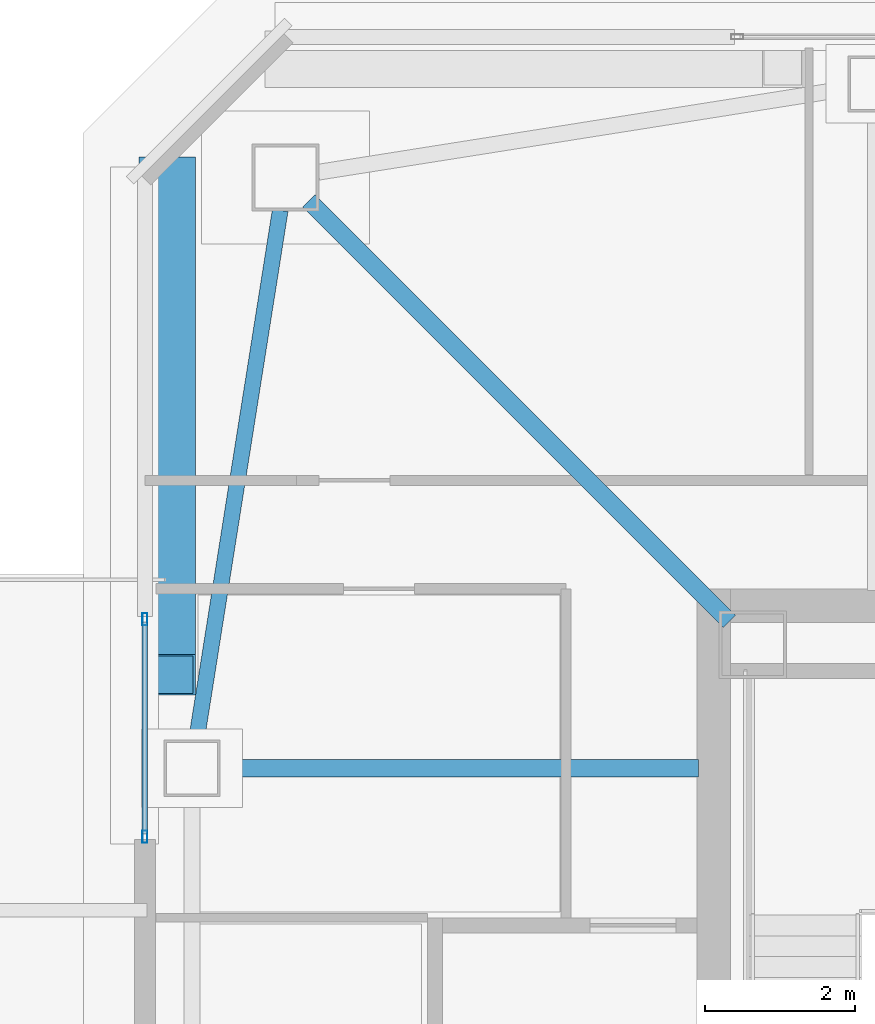
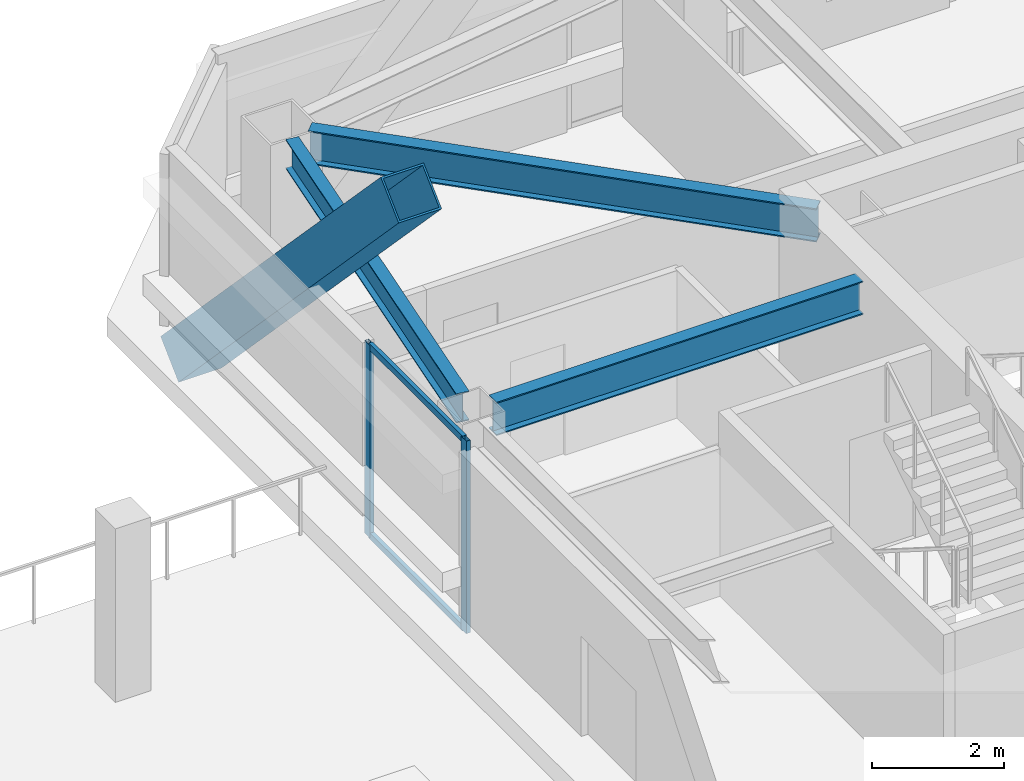
# One storey, part 6 of 37: 5 members, 3 beams, 1 element without a shape of its own.
"""IFC4 building model written with IfcOpenShell, lengths in metres."""

import ifcopenshell
import ifcopenshell.guid

model = None  # the IFC model being written
_history = None  # IfcOwnerHistory: only IFC2X3 demands one
_inside = {}  # id of a spatial element -> (the spatial element, [elements in it])
_under = {}  # id of a project, library or spatial element -> (it, [spatial elements below it])
_declared = {}  # id of a project -> (the project, [libraries it declares])
_typed = {}  # id of a type object -> (the type object, [elements of that type])
_made_of = {}  # id of a material, layer set ... -> (it, [elements and type objects made of it])


def new_model(schema):
    """Start an empty IFC model of exactly this schema.

    Asked for "IFC4X3", IfcOpenShell would pick the latest addendum, in which some entities
    have other attributes; the version numbers below select the first issue.
    IFC2X3 requires an IfcOwnerHistory on every rooted entity: one is made here for all.
    """
    global model, _history
    if schema == "IFC4X3":
        model = ifcopenshell.file(schema_version=(4, 3, 0, 0))
    else:
        model = ifcopenshell.file(schema=schema)
    _inside.clear()
    _under.clear()
    _declared.clear()
    _typed.clear()
    _made_of.clear()
    _history = None
    if model.schema == "IFC2X3":
        org = make("IfcOrganization", Name="unknown")
        user = make(
            "IfcPersonAndOrganization",
            ThePerson=make("IfcPerson", FamilyName="unknown"),
            TheOrganization=org,
        )
        app = make(
            "IfcApplication",
            ApplicationDeveloper=org,
            Version="unknown",
            ApplicationFullName="unknown",
            ApplicationIdentifier="unknown",
        )
        _history = make(
            "IfcOwnerHistory",
            OwningUser=user,
            OwningApplication=app,
            ChangeAction="ADDED",
            CreationDate=0,
        )
    return model


def make(cls, **values):
    """One entity of the class cls with the attributes given. An attribute that is None is left unset."""
    return model.create_entity(
        cls, **{name: value for name, value in values.items() if value is not None}
    )


def rooted(cls, **values):
    """An entity with a GlobalId (a new one), such as an element, a storey or a relation."""
    return make(cls, GlobalId=ifcopenshell.guid.new(), OwnerHistory=_history, **values)


def si_unit(unit_type, name, prefix=None):
    """IfcSIUnit, for example si_unit("LENGTHUNIT", "METRE", prefix="MILLI")."""
    return make("IfcSIUnit", UnitType=unit_type, Prefix=prefix, Name=name)


def assignment(units):
    """IfcUnitAssignment: the units of a project."""
    return None if units is None else make("IfcUnitAssignment", Units=units)


def point(xyz):
    """IfcCartesianPoint."""
    return None if xyz is None else make("IfcCartesianPoint", Coordinates=xyz)


def direction(xyz):
    """IfcDirection."""
    return None if xyz is None else make("IfcDirection", DirectionRatios=xyz)


def frame(location, z_axis=None, x_axis=None):
    """IfcAxis2Placement3D, a coordinate frame: its origin and axes. An axis left out is left unset."""
    return make(
        "IfcAxis2Placement3D",
        Location=point(location),
        Axis=direction(z_axis),
        RefDirection=direction(x_axis),
    )


def frame_2d(location, x_axis=None):
    """IfcAxis2Placement2D, a coordinate frame in the plane: its origin and x axis."""
    return make(
        "IfcAxis2Placement2D", Location=point(location), RefDirection=direction(x_axis)
    )


def origin():
    """The frame at (0, 0, 0) with its axes left unset."""
    return frame((0.0, 0.0, 0.0))


def origin_2d():
    """The frame at (0, 0) in the plane with its x axis left unset."""
    return frame_2d((0.0, 0.0))


def place(relative_to, where):
    """IfcLocalPlacement: puts the frame where relative to a parent placement (None: the world)."""
    return make(
        "IfcLocalPlacement", PlacementRelTo=relative_to, RelativePlacement=where
    )


def context(
    kind, dimensions, precision=None, world=None, true_north=None, identifier=None
):
    """IfcGeometricRepresentationContext, for example the 3D "Model" context."""
    return make(
        "IfcGeometricRepresentationContext",
        ContextIdentifier=identifier,
        ContextType=kind,
        CoordinateSpaceDimension=dimensions,
        Precision=precision,
        WorldCoordinateSystem=world,
        TrueNorth=true_north,
    )


def subcontext(parent, identifier, kind, view, scale=None):
    """IfcGeometricRepresentationSubContext, for example "Body" below "Model"."""
    return make(
        "IfcGeometricRepresentationSubContext",
        ContextIdentifier=identifier,
        ContextType=kind,
        ParentContext=parent,
        TargetScale=scale,
        TargetView=view,
    )


def project(units=None, contexts=None):
    """IfcProject with its units and contexts."""
    return rooted(
        "IfcProject",
        Name="project",
        RepresentationContexts=contexts,
        UnitsInContext=assignment(units),
    )


def spatial(cls, under=None, at=None, **own):
    """A site, building, storey or space (cls), placed at a placement, below another one or the project."""
    s = rooted(cls, ObjectPlacement=at, **own)
    if under is not None:
        _under.setdefault(under.id(), (under, []))[1].append(s)
    return s


def profile(cls, at=None, kind="AREA", **sizes):
    """A parametric profile (cls). Its sizes go by their IFC names, for example OverallWidth=200.0."""
    return make(cls, ProfileType=kind, Position=at, **sizes)


def hollow_rectangle(**sizes):
    """IfcRectangleHollowProfileDef."""
    return profile("IfcRectangleHollowProfileDef", **sizes)


def i_section(**sizes):
    """IfcIShapeProfileDef."""
    return profile("IfcIShapeProfileDef", **sizes)


def extrude(swept, where, along, depth):
    """IfcExtrudedAreaSolid: the profile swept, set in the frame where, extruded along a direction by depth."""
    return make(
        "IfcExtrudedAreaSolid",
        SweptArea=swept,
        Position=where,
        ExtrudedDirection=direction(along),
        Depth=depth,
    )


def shape(context_of_items, identifier, shape_type, items):
    """IfcShapeRepresentation: the items that make up one representation, for example the "Body"."""
    return make(
        "IfcShapeRepresentation",
        ContextOfItems=context_of_items,
        RepresentationIdentifier=identifier,
        RepresentationType=shape_type,
        Items=items,
    )


def material(Name=None, Category=None):
    """IfcMaterial."""
    return make("IfcMaterial", Name=Name, Category=Category)


def material_profile(
    of_material, cross_section, Name=None, Category=None, Priority=None
):
    """IfcMaterialProfile: a cross section and its material."""
    return make(
        "IfcMaterialProfile",
        Name=Name,
        Material=of_material,
        Profile=cross_section,
        Priority=Priority,
        Category=Category,
    )


def profile_set(profiles, Name=None, composite=None):
    """IfcMaterialProfileSet."""
    return make(
        "IfcMaterialProfileSet",
        Name=Name,
        MaterialProfiles=profiles,
        CompositeProfile=composite,
    )


def made_of(thing, what):
    """Note that an element or type object is made of a material, layer set ...; save() writes the relation."""
    if what is not None:
        _made_of.setdefault(what.id(), (what, []))[1].append(thing)
    return thing


def type_object(cls, material=None, **own):
    """A type object (cls), such as IfcWallType, which elements share."""
    return made_of(rooted(cls, **own), material)


def element(
    cls,
    number,
    at=None,
    inside=None,
    cuts=None,
    type_object=None,
    material=None,
    context=None,
    identifier="Body",
    shape_type=None,
    held_by="IfcProductDefinitionShape",
    body=None,
    shapes=None,
    **own,
):
    """One element of the class cls, such as IfcWall. Its Tag is "e" and its number.

    at: its placement. inside: the storey or other place that contains it. cuts: it is an
    opening in that element (IfcRelVoidsElement). A single representation is given by context,
    identifier, shape_type and body (its items); several are given by shapes. held_by: the class
    of the entity that holds the representations. save() writes the other relations.
    """
    e = rooted(cls, Tag="e%d" % number, ObjectPlacement=at, **own)
    if body is not None:
        shapes = [shape(context, identifier, shape_type, body)]
    if shapes is not None:
        e.Representation = make(held_by, Representations=shapes)
    if inside is not None:
        _inside.setdefault(inside.id(), (inside, []))[1].append(e)
    if cuts is not None:
        rooted(
            "IfcRelVoidsElement", RelatingBuildingElement=cuts, RelatedOpeningElement=e
        )
    if type_object is not None:
        _typed.setdefault(type_object.id(), (type_object, []))[1].append(e)
    return made_of(e, material)


def aggregate(whole, parts):
    """IfcRelAggregates: a whole, such as a stair, and the parts it consists of."""
    return rooted("IfcRelAggregates", RelatingObject=whole, RelatedObjects=parts)


def save(model, path):
    """Write the relations noted so far, then the file.

    IfcRelAggregates (storeys below a building ...), IfcRelContainedInSpatialStructure (elements
    in a storey), IfcRelDefinesByType, IfcRelAssociatesMaterial and IfcRelDeclares: one each for
    every whole, place, type object, material and project.
    """
    for whole, parts in _under.values():
        aggregate(whole, parts)
    for where, things in _inside.values():
        rooted(
            "IfcRelContainedInSpatialStructure",
            RelatedElements=things,
            RelatingStructure=where,
        )
    for kind, things in _typed.values():
        rooted("IfcRelDefinesByType", RelatedObjects=things, RelatingType=kind)
    for what, things in _made_of.values():
        rooted("IfcRelAssociatesMaterial", RelatedObjects=things, RelatingMaterial=what)
    for by, libraries in _declared.values():
        rooted("IfcRelDeclares", RelatingContext=by, RelatedDefinitions=libraries)
    model.write(path)


model = new_model("IFC4")

# Units and contexts
model_context = context("Model", 3, precision=1e-05, world=origin(), true_north=direction((0.0, 1.0)))
body_context = subcontext(model_context, "Body", "Model", "MODEL_VIEW")
ifc_project = project(units=[si_unit("LENGTHUNIT", "METRE"), si_unit("AREAUNIT", "SQUARE_METRE"), si_unit("VOLUMEUNIT", "CUBIC_METRE"), si_unit("PLANEANGLEUNIT", "RADIAN"), si_unit("MASSUNIT", "GRAM", prefix="KILO")], contexts=[model_context])

# Site, building, storey
site_placement = place(None, origin())
site = spatial("IfcSite", under=ifc_project, at=site_placement, CompositionType="ELEMENT")
building_placement = place(site_placement, origin())
building = spatial("IfcBuilding", under=site, at=building_placement, Name="Tashvorn Skyway Center", CompositionType="ELEMENT")
storey_placement = place(building_placement, frame((0.0, 0.0, 263.39990234375)))
storey = spatial("IfcBuildingStorey", under=building, at=storey_placement, Name="L71", CompositionType="ELEMENT", Elevation=263.39990234375)

# Beams
ifc_material_1 = material(Name="Steel ASTM A992 Grade 50", Category="steel")
ifc_material_profile_1 = material_profile(ifc_material_1, i_section(OverallWidth=0.22998046875, OverallDepth=0.616943359375, WebThickness=0.01318359375, FlangeThickness=0.022216796875, at=origin_2d()), Name="W24X94")
ifc_profile_set_1 = profile_set([ifc_material_profile_1], Name="Steel ASTM A992 Grade 50")
beam_type_1 = type_object("IfcBeamType", Name="BM-BEAM-W24X94", PredefinedType="BEAM", material=ifc_profile_set_1)
beam_1_placement = place(storey_placement, frame((29.0146484375, 44.9853515625, 3.0615234375), z_axis=(0.707106781187, -0.707106781187, 0.0), x_axis=(0.707106781187, 0.707106781187, 0.0)))
element("IfcBeam", 1, at=beam_1_placement, inside=storey, type_object=beam_type_1, Name="Tower 1 L71 Primary Floor Girder MC-NW", PredefinedType="BEAM", context=body_context, shape_type="SweptSolid", body=[
    extrude(i_section(OverallWidth=0.22998046875, OverallDepth=0.616943359375, WebThickness=0.01318359375, FlangeThickness=0.022216796875, at=origin_2d()), origin(), (0.0, 0.0, 1.0), 7.94873046875),
])
beam_2_placement = place(storey_placement, frame((27.820068359375, 37.39990234375, 3.0615234375), z_axis=(1.0, 0.0, 0.0), x_axis=(0.0, 1.0, 0.0)))
element("IfcBeam", 2, at=beam_2_placement, inside=storey, type_object=beam_type_1, Name="Tower 1 L71 Primary Floor Girder FC-W1", PredefinedType="BEAM", context=body_context, shape_type="SweptSolid", body=[
    extrude(i_section(OverallWidth=0.22998046875, OverallDepth=0.616943359375, WebThickness=0.01318359375, FlangeThickness=0.022216796875, at=origin_2d()), origin(), (0.0, 0.0, 1.0), 6.39990234375),
])
ifc_material_profile_2 = material_profile(ifc_material_1, i_section(OverallWidth=0.2109375, OverallDepth=0.5390625, WebThickness=0.01171875, FlangeThickness=0.018798828125, at=origin_2d()), Name="W21X73")
ifc_profile_set_2 = profile_set([ifc_material_profile_2], Name="Steel ASTM A992 Grade 50")
beam_type_2 = type_object("IfcBeamType", Name="BM-SPANDREL-W21X73", PredefinedType="SPANDREL", material=ifc_profile_set_2)
beam_3_placement = place(storey_placement, frame((28.63037109375, 44.8603515625, 3.1005859375), z_axis=(-0.156274976, -0.987713587978, 0.0), x_axis=(0.987713587978, -0.156274976, 0.0)))
element("IfcBeam", 3, at=beam_3_placement, inside=storey, type_object=beam_type_2, Name="Tower 1 L71 Spandrel Beam 10", PredefinedType="SPANDREL", context=body_context, shape_type="SweptSolid", body=[
    extrude(i_section(OverallWidth=0.2109375, OverallDepth=0.5390625, WebThickness=0.01171875, FlangeThickness=0.018798828125, at=origin_2d()), origin(), (0.0, 0.0, 1.0), 7.18310546875),
])

# Curtain wall, members
ifc_material_2 = material(Name="Thermally broken bronze-anodized aluminium 6063-T6", Category="aluminium")
curtain_wall_type = type_object("IfcCurtainWallType", Name="CW-CW-Z5", PredefinedType="NOTDEFINED", material=ifc_material_2)
curtain_wall_placement = place(storey_placement, origin())
curtain_wall = element("IfcCurtainWall", 4, at=curtain_wall_placement, inside=storey, type_object=curtain_wall_type, Name="Tower 1 L71 West Curtain Wall R Glazing Group 1", PredefinedType="NOTDEFINED")
ifc_material_profile_3 = material_profile(ifc_material_2, hollow_rectangle(XDim=0.070068359375, YDim=0.1650390625, WallThickness=0.00390625, at=origin_2d()), Name="ALU-MULL-70x165")
ifc_profile_set_3 = profile_set([ifc_material_profile_3], Name="Thermally broken bronze-anodized aluminium 6063-T6")
member_type_1 = type_object("IfcMemberType", Name="CWM-CW-Z5", PredefinedType="MULLION", material=ifc_profile_set_3)
member_1_placement = place(storey_placement, frame((26.820068359375, 36.485107421875, 0.0), z_axis=(0.0, 0.0, 1.0), x_axis=(-1.0, 0.0, 0.0)))
member_1 = element("IfcMember", 5, at=member_1_placement, type_object=member_type_1, Name="CW-Z5 mullion 1", PredefinedType="MULLION", context=body_context, shape_type="SweptSolid", body=[
    extrude(hollow_rectangle(XDim=0.070068359375, YDim=0.1650390625, WallThickness=0.00390625, at=origin_2d()), origin(), (0.0, 0.0, 1.0), 3.550048828125),
])
member_2_placement = place(storey_placement, frame((26.820068359375, 39.3916015625, 0.0), z_axis=(0.0, 0.0, 1.0), x_axis=(-1.0, 0.0, 0.0)))
member_2 = element("IfcMember", 6, at=member_2_placement, type_object=member_type_1, Name="CW-Z5 mullion 2", PredefinedType="MULLION", context=body_context, shape_type="SweptSolid", body=[
    extrude(hollow_rectangle(XDim=0.070068359375, YDim=0.1650390625, WallThickness=0.00390625, at=origin_2d()), origin(), (0.0, 0.0, 1.0), 3.550048828125),
])
ifc_material_profile_4 = material_profile(ifc_material_2, hollow_rectangle(XDim=0.070068359375, YDim=0.114990234375, WallThickness=0.00390625, at=origin_2d()), Name="ALU-TRAN-70x115")
ifc_profile_set_4 = profile_set([ifc_material_profile_4], Name="Thermally broken bronze-anodized aluminium 6063-T6")
member_type_2 = type_object("IfcMemberType", Name="CWT-CW-Z5", PredefinedType="USERDEFINED", material=ifc_profile_set_4)
member_3_placement = place(storey_placement, frame((26.820068359375, 36.52001953125, 0.03515625), z_axis=(0.0, 1.0, 0.0), x_axis=(-1.0, 0.0, 0.0)))
member_3 = element("IfcMember", 7, at=member_3_placement, type_object=member_type_2, Name="CW-Z5 transom 1.1", ObjectType="TRANSOM", PredefinedType="USERDEFINED", context=body_context, shape_type="SweptSolid", body=[
    extrude(hollow_rectangle(XDim=0.070068359375, YDim=0.114990234375, WallThickness=0.00390625, at=origin_2d()), origin(), (0.0, 0.0, 1.0), 2.836669921875),
])
member_4_placement = place(storey_placement, frame((26.820068359375, 36.52001953125, 3.51513671875), z_axis=(0.0, 1.0, 0.0), x_axis=(-1.0, 0.0, 0.0)))
member_4 = element("IfcMember", 8, at=member_4_placement, type_object=member_type_2, Name="CW-Z5 transom 1.2", ObjectType="TRANSOM", PredefinedType="USERDEFINED", context=body_context, shape_type="SweptSolid", body=[
    extrude(hollow_rectangle(XDim=0.070068359375, YDim=0.114990234375, WallThickness=0.00390625, at=origin_2d()), origin(), (0.0, 0.0, 1.0), 2.836669921875),
])
aggregate(curtain_wall, [member_1, member_2, member_3, member_4])

# Member
ifc_material_3 = material(Name="Steel ASTM A572 Grade 50", Category="steel")
ifc_material_profile_5 = material_profile(ifc_material_3, hollow_rectangle(XDim=0.75, YDim=0.75, WallThickness=0.031982421875, at=origin_2d()), Name="BOX750x750x32")
ifc_profile_set_5 = profile_set([ifc_material_profile_5], Name="Steel ASTM A572 Grade 50")
member_type_3 = type_object("IfcMemberType", Name="MEM-MB-750", PredefinedType="BRACE", material=ifc_profile_set_5)
member_5_placement = place(storey_placement, frame((27.1201171875, 45.300048828125, -0.31982421875), z_axis=(0.0, -0.690312384492, 0.723511445533), x_axis=(1.0, 0.0, 0.0)))
element("IfcMember", 9, at=member_5_placement, inside=storey, type_object=member_type_3, Name="Tower 1 Zone 7 W Chevron Mega-Brace L1", PredefinedType="BRACE", context=body_context, shape_type="SweptSolid", body=[
    extrude(hollow_rectangle(XDim=0.75, YDim=0.75, WallThickness=0.031982421875, at=origin_2d()), origin(), (0.0, 0.0, 1.0), 9.633544921875),
])

save(model, "model.ifc")
